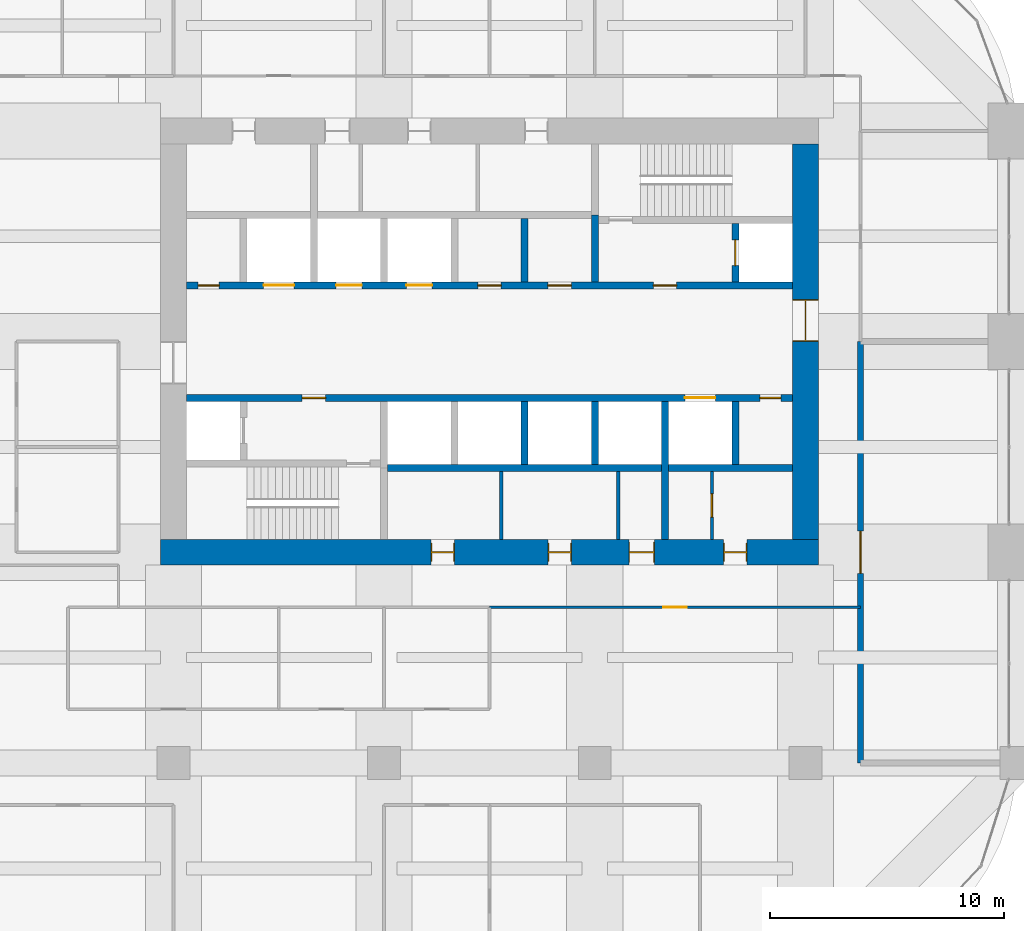
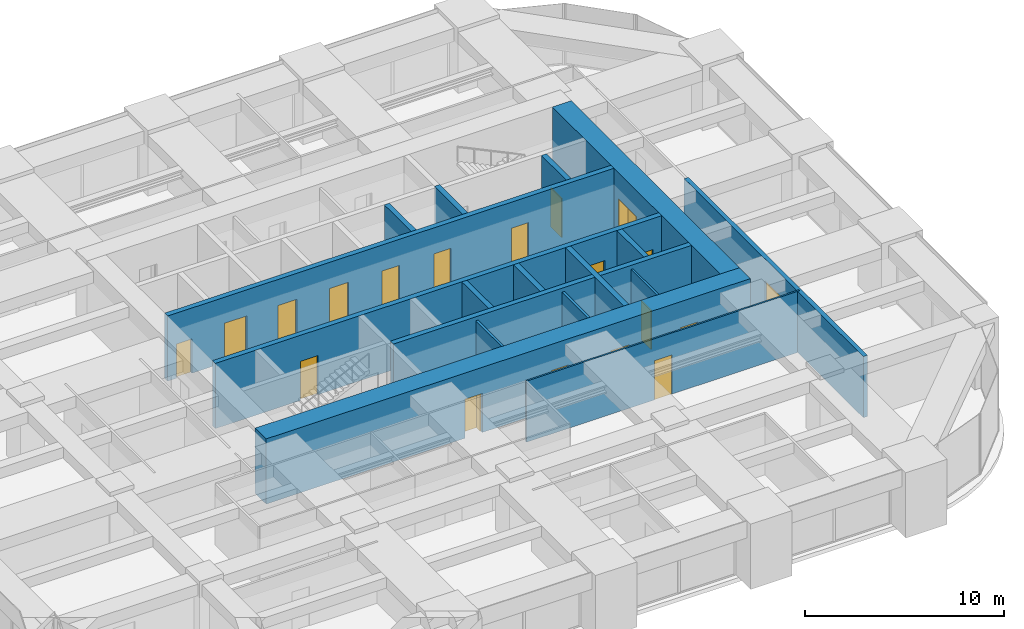
# One storey, part 31 of 34: 19 doors, 17 walls, 19 openings.
"""IFC4 building model written with IfcOpenShell, lengths in metres."""

from ifc_helpers import new_model, si_unit, direction, frame, frame_2d, origin, place, context, subcontext, project, spatial, rectangle, extrude, material, layer, layer_set, type_object, element, fill, save


model = new_model("IFC4")

# Units and contexts
model_context = context("Model", 3, precision=1e-05, world=origin(), true_north=direction((0.0, 1.0)))
body_context = subcontext(model_context, "Body", "Model", "MODEL_VIEW")
ifc_project = project(units=[si_unit("LENGTHUNIT", "METRE"), si_unit("AREAUNIT", "SQUARE_METRE"), si_unit("VOLUMEUNIT", "CUBIC_METRE"), si_unit("PLANEANGLEUNIT", "RADIAN"), si_unit("MASSUNIT", "GRAM", prefix="KILO")], contexts=[model_context])

# Site, building, storey
site_placement = place(None, origin())
site = spatial("IfcSite", under=ifc_project, at=site_placement, CompositionType="ELEMENT")
building_placement = place(site_placement, origin())
building = spatial("IfcBuilding", under=site, at=building_placement, Name="Zorevar Civic Tower", CompositionType="ELEMENT")
storey_placement = place(building_placement, frame((0.0, 0.0, 226.199951171875)))
storey = spatial("IfcBuildingStorey", under=building, at=storey_placement, Name="L55", CompositionType="ELEMENT", Elevation=226.199951171875)

# Wall, opening, door
ifc_material_1 = material(Name="Twin-stud acoustic wall, gypsum board")
ifc_layer_1 = layer(ifc_material_1, 0.25)
ifc_layer_set_1 = layer_set([ifc_layer_1], Name="Acoustic wall 250")
wall_type_1 = type_object("IfcWallType", Name="Acoustic wall 250", PredefinedType="PARTITIONING", material=ifc_layer_set_1)
wall_1_placement = place(storey_placement, frame((47.35009765625, 9.0, 0.0), z_axis=(0.0, 0.0, 1.0), x_axis=(0.0, 1.0, 0.0)))
wall_1 = element("IfcWall", 1, at=wall_1_placement, inside=storey, type_object=wall_type_1, Name="Acoustic wall 250 L55", PredefinedType="PARTITIONING", context=body_context, shape_type="SweptSolid", body=[
    extrude(rectangle(XDim=18.0, YDim=0.25, at=frame_2d((9.0, 0.0))), origin(), (0.0, 0.0, 1.0), 3.75),
])
opening_1_placement = place(wall_1_placement, frame((8.10009765625, 0.0, 0.0)))
opening_1 = element("IfcOpeningElement", 2, at=opening_1_placement, cuts=wall_1, Name="Opening L55.34", PredefinedType="OPENING", context=body_context, shape_type="SweptSolid", body=[
    extrude(rectangle(XDim=1.800048828125, YDim=2.39990234375, at=frame_2d((0.89990234375, 1.199951171875))), frame((0.0, 0.135009765625, 0.0), z_axis=(0.0, -1.0, 0.0), x_axis=(1.0, 0.0, 0.0)), (0.0, 0.0, 1.0), 0.27001953125),
])
ifc_material_2 = material(Name="Steel door set", Category="steel")
door_type_1 = type_object("IfcDoorType", Name="Door D2 1800x2400", OperationType="DOUBLE_DOOR_SINGLE_SWING", PredefinedType="DOOR", material=ifc_material_2)
door_1_placement = place(opening_1_placement, origin())
door_1 = element("IfcDoor", 3, at=door_1_placement, inside=storey, type_object=door_type_1, Name="Door L55 D1", OperationType="DOUBLE_DOOR_SINGLE_SWING", OverallHeight=2.39990234375, OverallWidth=1.800048828125, PredefinedType="DOOR", context=body_context, shape_type="SweptSolid", body=[
    extrude(rectangle(XDim=1.800048828125, YDim=2.39990234375, at=frame_2d((0.89990234375, 1.199951171875))), frame((0.0, 0.02490234375, 0.0), z_axis=(0.0, -1.0, 0.0), x_axis=(1.0, 0.0, 0.0)), (0.0, 0.0, 1.0), 0.050048828125),
])
fill(opening_1, door_1)

# Wall, openings, doors
ifc_material_3 = material(Name="Concrete C50/60", Category="concrete")
ifc_layer_2 = layer(ifc_material_3, 1.10009765625)
ifc_layer_set_2 = layer_set([ifc_layer_2], Name="Core wall 1100")
wall_type_2 = type_object("IfcWallType", Name="Core wall 1100", PredefinedType="SHEAR", material=ifc_layer_set_2)
wall_2_placement = place(storey_placement, frame((17.449951171875, 18.0, 0.0), z_axis=(0.0, 0.0, 1.0), x_axis=(1.0, 0.0, 0.0)))
wall_2 = element("IfcWall", 4, at=wall_2_placement, inside=storey, type_object=wall_type_2, Name="Core wall S L55", PredefinedType="SHEAR", context=body_context, shape_type="SweptSolid", body=[
    extrude(rectangle(XDim=28.10009765625, YDim=1.10009765625, at=frame_2d((14.050048828125, 0.0))), origin(), (0.0, 0.0, 1.0), 4.0),
])
opening_2_placement = place(wall_2_placement, frame((11.550048828125, 0.0, 0.0)))
opening_2 = element("IfcOpeningElement", 5, at=opening_2_placement, cuts=wall_2, Name="Opening L55.03", PredefinedType="OPENING", context=body_context, shape_type="SweptSolid", body=[
    extrude(rectangle(XDim=1.0, YDim=2.39990234375, at=frame_2d((0.5, 1.199951171875))), frame((0.0, 0.56005859375, 0.0), z_axis=(0.0, -1.0, 0.0), x_axis=(1.0, 0.0, 0.0)), (0.0, 0.0, 1.0), 1.1201171875),
])
opening_3_placement = place(wall_2_placement, frame((16.550048828125, 0.0, 0.0)))
opening_3 = element("IfcOpeningElement", 6, at=opening_3_placement, cuts=wall_2, Name="Opening L55.04", PredefinedType="OPENING", context=body_context, shape_type="SweptSolid", body=[
    extrude(rectangle(XDim=1.0, YDim=2.39990234375, at=frame_2d((0.5, 1.199951171875))), frame((0.0, 0.56005859375, 0.0), z_axis=(0.0, -1.0, 0.0), x_axis=(1.0, 0.0, 0.0)), (0.0, 0.0, 1.0), 1.1201171875),
])
opening_4_placement = place(wall_2_placement, frame((20.0, 0.0, 0.0)))
opening_4 = element("IfcOpeningElement", 7, at=opening_4_placement, cuts=wall_2, Name="Opening L55.05", PredefinedType="OPENING", context=body_context, shape_type="SweptSolid", body=[
    extrude(rectangle(XDim=1.10009765625, YDim=2.39990234375, at=frame_2d((0.550048828125, 1.199951171875))), frame((0.0, 0.56005859375, 0.0), z_axis=(0.0, -1.0, 0.0), x_axis=(1.0, 0.0, 0.0)), (0.0, 0.0, 1.0), 1.1201171875),
])
opening_5_placement = place(wall_2_placement, frame((24.050048828125, 0.0, 0.0)))
opening_5 = element("IfcOpeningElement", 8, at=opening_5_placement, cuts=wall_2, Name="Opening L55.06", PredefinedType="OPENING", context=body_context, shape_type="SweptSolid", body=[
    extrude(rectangle(XDim=1.0, YDim=2.39990234375, at=frame_2d((0.5, 1.199951171875))), frame((0.0, 0.56005859375, 0.0), z_axis=(0.0, -1.0, 0.0), x_axis=(1.0, 0.0, 0.0)), (0.0, 0.0, 1.0), 1.1201171875),
])
ifc_material_4 = material(Name="Timber door set", Category="wood")
door_type_2 = type_object("IfcDoorType", Name="Door D1 1000x2400", OperationType="SINGLE_SWING_LEFT", PredefinedType="DOOR", material=ifc_material_4)
door_2_placement = place(opening_2_placement, origin())
door_2 = element("IfcDoor", 9, at=door_2_placement, inside=storey, type_object=door_type_2, Name="Door L55 02", OperationType="SINGLE_SWING_RIGHT", OverallHeight=2.39990234375, OverallWidth=1.0, PredefinedType="DOOR", context=body_context, shape_type="SweptSolid", body=[
    extrude(rectangle(XDim=1.0, YDim=2.39990234375, at=frame_2d((0.5, 1.199951171875))), frame((0.0, 0.02490234375, 0.0), z_axis=(0.0, -1.0, 0.0), x_axis=(1.0, 0.0, 0.0)), (0.0, 0.0, 1.0), 0.050048828125),
    extrude(rectangle(XDim=0.04, YDim=2.39990234375, at=frame_2d((0.02001953125, 1.199951171875))), frame((0.0, 0.39990234375, 0.0), z_axis=(0.0, -1.0, 0.0), x_axis=(1.0, 0.0, 0.0)), (0.0, 0.0, 1.0), 0.800048828125),
    extrude(rectangle(XDim=0.04, YDim=2.39990234375, at=frame_2d((0.97998046875, 1.199951171875))), frame((0.0, 0.39990234375, 0.0), z_axis=(0.0, -1.0, 0.0), x_axis=(1.0, 0.0, 0.0)), (0.0, 0.0, 1.0), 0.800048828125),
    extrude(rectangle(XDim=1.0, YDim=0.04, at=frame_2d((0.5, 2.3798828125))), frame((0.0, 0.39990234375, 0.0), z_axis=(0.0, -1.0, 0.0), x_axis=(1.0, 0.0, 0.0)), (0.0, 0.0, 1.0), 0.800048828125),
])
fill(opening_2, door_2)
door_3_placement = place(opening_3_placement, origin())
door_3 = element("IfcDoor", 10, at=door_3_placement, inside=storey, type_object=door_type_2, Name="Door L55 03", OperationType="SINGLE_SWING_LEFT", OverallHeight=2.39990234375, OverallWidth=1.0, PredefinedType="DOOR", context=body_context, shape_type="SweptSolid", body=[
    extrude(rectangle(XDim=1.0, YDim=2.39990234375, at=frame_2d((0.5, 1.199951171875))), frame((0.0, 0.02490234375, 0.0), z_axis=(0.0, -1.0, 0.0), x_axis=(1.0, 0.0, 0.0)), (0.0, 0.0, 1.0), 0.050048828125),
    extrude(rectangle(XDim=0.04, YDim=2.39990234375, at=frame_2d((0.02001953125, 1.199951171875))), frame((0.0, 0.39990234375, 0.0), z_axis=(0.0, -1.0, 0.0), x_axis=(1.0, 0.0, 0.0)), (0.0, 0.0, 1.0), 0.800048828125),
    extrude(rectangle(XDim=0.04, YDim=2.39990234375, at=frame_2d((0.97998046875, 1.199951171875))), frame((0.0, 0.39990234375, 0.0), z_axis=(0.0, -1.0, 0.0), x_axis=(1.0, 0.0, 0.0)), (0.0, 0.0, 1.0), 0.800048828125),
    extrude(rectangle(XDim=1.0, YDim=0.04, at=frame_2d((0.5, 2.3798828125))), frame((0.0, 0.39990234375, 0.0), z_axis=(0.0, -1.0, 0.0), x_axis=(1.0, 0.0, 0.0)), (0.0, 0.0, 1.0), 0.800048828125),
])
fill(opening_3, door_3)
door_4_placement = place(opening_5_placement, origin())
door_4 = element("IfcDoor", 11, at=door_4_placement, inside=storey, type_object=door_type_2, Name="Door L55 05", OperationType="SINGLE_SWING_LEFT", OverallHeight=2.39990234375, OverallWidth=1.0, PredefinedType="DOOR", context=body_context, shape_type="SweptSolid", body=[
    extrude(rectangle(XDim=1.0, YDim=2.39990234375, at=frame_2d((0.5, 1.199951171875))), frame((0.0, 0.02490234375, 0.0), z_axis=(0.0, -1.0, 0.0), x_axis=(1.0, 0.0, 0.0)), (0.0, 0.0, 1.0), 0.050048828125),
    extrude(rectangle(XDim=0.04, YDim=2.39990234375, at=frame_2d((0.02001953125, 1.199951171875))), frame((0.0, 0.39990234375, 0.0), z_axis=(0.0, -1.0, 0.0), x_axis=(1.0, 0.0, 0.0)), (0.0, 0.0, 1.0), 0.800048828125),
    extrude(rectangle(XDim=0.04, YDim=2.39990234375, at=frame_2d((0.97998046875, 1.199951171875))), frame((0.0, 0.39990234375, 0.0), z_axis=(0.0, -1.0, 0.0), x_axis=(1.0, 0.0, 0.0)), (0.0, 0.0, 1.0), 0.800048828125),
    extrude(rectangle(XDim=1.0, YDim=0.04, at=frame_2d((0.5, 2.3798828125))), frame((0.0, 0.39990234375, 0.0), z_axis=(0.0, -1.0, 0.0), x_axis=(1.0, 0.0, 0.0)), (0.0, 0.0, 1.0), 0.800048828125),
])
fill(opening_5, door_4)
ifc_material_5 = material(Name="Timber door set", Category="wood")
door_type_3 = type_object("IfcDoorType", Name="Door D5 1100x2400", OperationType="SINGLE_SWING_LEFT", PredefinedType="DOOR", material=ifc_material_5)
door_5_placement = place(opening_4_placement, origin())
door_5 = element("IfcDoor", 12, at=door_5_placement, inside=storey, type_object=door_type_3, Name="Door L55 04", OperationType="SINGLE_SWING_LEFT", OverallHeight=2.39990234375, OverallWidth=1.10009765625, PredefinedType="DOOR", context=body_context, shape_type="SweptSolid", body=[
    extrude(rectangle(XDim=1.10009765625, YDim=2.39990234375, at=frame_2d((0.550048828125, 1.199951171875))), frame((0.0, 0.02490234375, 0.0), z_axis=(0.0, -1.0, 0.0), x_axis=(1.0, 0.0, 0.0)), (0.0, 0.0, 1.0), 0.050048828125),
    extrude(rectangle(XDim=0.04, YDim=2.39990234375, at=frame_2d((0.02001953125, 1.199951171875))), frame((0.0, 0.43994140625, 0.0), z_axis=(0.0, -1.0, 0.0), x_axis=(1.0, 0.0, 0.0)), (0.0, 0.0, 1.0), 0.880126953125),
    extrude(rectangle(XDim=0.04, YDim=2.39990234375, at=frame_2d((1.080078125, 1.199951171875))), frame((0.0, 0.43994140625, 0.0), z_axis=(0.0, -1.0, 0.0), x_axis=(1.0, 0.0, 0.0)), (0.0, 0.0, 1.0), 0.880126953125),
    extrude(rectangle(XDim=1.10009765625, YDim=0.04, at=frame_2d((0.550048828125, 2.3798828125))), frame((0.0, 0.43994140625, 0.0), z_axis=(0.0, -1.0, 0.0), x_axis=(1.0, 0.0, 0.0)), (0.0, 0.0, 1.0), 0.880126953125),
])
fill(opening_4, door_5)

# Wall, opening, door
wall_3_placement = place(storey_placement, frame((45.0, 18.550048828125, 0.0), z_axis=(0.0, 0.0, 1.0), x_axis=(0.0, 1.0, 0.0)))
wall_3 = element("IfcWall", 13, at=wall_3_placement, inside=storey, type_object=wall_type_2, Name="Core wall E L55", PredefinedType="SHEAR", context=body_context, shape_type="SweptSolid", body=[
    extrude(rectangle(XDim=16.89990234375, YDim=1.10009765625, at=frame_2d((8.449951171875, 0.0))), origin(), (0.0, 0.0, 1.0), 4.0),
])
opening_6_placement = place(wall_3_placement, frame((8.449951171875, 0.0, 0.0)))
opening_6 = element("IfcOpeningElement", 14, at=opening_6_placement, cuts=wall_3, Name="Opening L55.02", PredefinedType="OPENING", context=body_context, shape_type="SweptSolid", body=[
    extrude(rectangle(XDim=1.800048828125, YDim=2.39990234375, at=frame_2d((0.89990234375, 1.199951171875))), frame((0.0, 0.56005859375, 0.0), z_axis=(0.0, -1.0, 0.0), x_axis=(1.0, 0.0, 0.0)), (0.0, 0.0, 1.0), 1.1201171875),
])
ifc_material_6 = material(Name="Steel door set", Category="steel")
door_type_4 = type_object("IfcDoorType", Name="Fire door FD2 1800x2400", OperationType="DOUBLE_DOOR_DOUBLE_SWING", PredefinedType="DOOR", material=ifc_material_6)
door_6_placement = place(opening_6_placement, origin())
door_6 = element("IfcDoor", 15, at=door_6_placement, inside=storey, type_object=door_type_4, Name="Door L55 01", OperationType="DOUBLE_DOOR_DOUBLE_SWING", OverallHeight=2.39990234375, OverallWidth=1.800048828125, PredefinedType="DOOR", context=body_context, shape_type="SweptSolid", body=[
    extrude(rectangle(XDim=1.800048828125, YDim=2.39990234375, at=frame_2d((0.89990234375, 1.199951171875))), frame((0.0, 0.030029296875, 0.0), z_axis=(0.0, -1.0, 0.0), x_axis=(1.0, 0.0, 0.0)), (0.0, 0.0, 1.0), 0.06005859375),
    extrude(rectangle(XDim=0.04, YDim=2.39990234375, at=frame_2d((0.02001953125, 1.199951171875))), frame((0.0, 0.5498046875, 0.0), z_axis=(0.0, -1.0, 0.0), x_axis=(1.0, 0.0, 0.0)), (0.0, 0.0, 1.0), 1.099609375),
    extrude(rectangle(XDim=0.04, YDim=2.39990234375, at=frame_2d((1.780029296875, 1.199951171875))), frame((0.0, 0.5498046875, 0.0), z_axis=(0.0, -1.0, 0.0), x_axis=(1.0, 0.0, 0.0)), (0.0, 0.0, 1.0), 1.099609375),
    extrude(rectangle(XDim=1.800048828125, YDim=0.04, at=frame_2d((0.89990234375, 2.3798828125))), frame((0.0, 0.5498046875, 0.0), z_axis=(0.0, -1.0, 0.0), x_axis=(1.0, 0.0, 0.0)), (0.0, 0.0, 1.0), 1.099609375),
])
fill(opening_6, door_6)

ifc_material_7 = material(Name="Laminated glass in black aluminium frame", Category="aluminium")
ifc_layer_3 = layer(ifc_material_7, 0.10009765625)
ifc_layer_set_3 = layer_set([ifc_layer_3], Name="Glazed partition 100")
wall_type_3 = type_object("IfcWallType", Name="Glazed partition 100", PredefinedType="PARTITIONING", material=ifc_layer_set_3)
wall_4_placement = place(storey_placement, frame((31.5, 15.64990234375, 0.0), z_axis=(0.0, 0.0, 1.0), x_axis=(1.0, 0.0, 0.0)))
wall_4 = element("IfcWall", 16, at=wall_4_placement, inside=storey, type_object=wall_type_3, Name="Glazed partition 100 L55", PredefinedType="PARTITIONING", context=body_context, shape_type="SweptSolid", body=[
    extrude(rectangle(XDim=15.85009765625, YDim=0.10009765625, at=frame_2d((7.925048828125, 0.0))), origin(), (0.0, 0.0, 1.0), 3.75),
])
opening_7_placement = place(wall_4_placement, frame((7.425048828125, 0.0, 0.0)))
opening_7 = element("IfcOpeningElement", 17, at=opening_7_placement, cuts=wall_4, Name="Opening L55.23", PredefinedType="OPENING", context=body_context, shape_type="SweptSolid", body=[
    extrude(rectangle(XDim=1.0, YDim=2.39990234375, at=frame_2d((0.5, 1.199951171875))), frame((0.0, 0.06005859375, 0.0), z_axis=(0.0, -1.0, 0.0), x_axis=(1.0, 0.0, 0.0)), (0.0, 0.0, 1.0), 0.1201171875),
])
ifc_material_8 = material(Name="Timber door set", Category="wood")
door_type_5 = type_object("IfcDoorType", Name="Glazed door GD1 1000x2400", OperationType="SINGLE_SWING_LEFT", PredefinedType="DOOR", material=ifc_material_8)
door_7_placement = place(opening_7_placement, origin())
door_7 = element("IfcDoor", 18, at=door_7_placement, inside=storey, type_object=door_type_5, Name="Door L55 D1", OperationType="SINGLE_SWING_RIGHT", OverallHeight=2.39990234375, OverallWidth=1.0, PredefinedType="DOOR", context=body_context, shape_type="SweptSolid", body=[
    extrude(rectangle(XDim=1.0, YDim=2.39990234375, at=frame_2d((0.5, 1.199951171875))), frame((0.0, 0.02001953125, 0.0), z_axis=(0.0, -1.0, 0.0), x_axis=(1.0, 0.0, 0.0)), (0.0, 0.0, 1.0), 0.0400390625),
])
fill(opening_7, door_7)

ifc_material_9 = material(Name="Concrete C40/50", Category="concrete")
ifc_layer_4 = layer(ifc_material_9, 0.300048828125)
ifc_layer_set_4 = layer_set([ifc_layer_4], Name="Inner core wall 300")
wall_type_4 = type_object("IfcWallType", Name="Inner core wall 300", PredefinedType="SHEAR", material=ifc_layer_set_4)
wall_5_placement = place(storey_placement, frame((42.0, 29.550048828125, 0.0), z_axis=(0.0, 0.0, 1.0), x_axis=(0.0, 1.0, 0.0)))
wall_5 = element("IfcWall", 19, at=wall_5_placement, inside=storey, type_object=wall_type_4, Name="Inner core wall N02 L55", PredefinedType="SHEAR", context=body_context, shape_type="SweptSolid", body=[
    extrude(rectangle(XDim=2.5, YDim=0.300048828125, at=frame_2d((1.25, 0.0))), origin(), (0.0, 0.0, 1.0), 4.0),
])
opening_8_placement = place(wall_5_placement, frame((0.699951171875, 0.0, 0.0)))
opening_8 = element("IfcOpeningElement", 20, at=opening_8_placement, cuts=wall_5, Name="Opening L55.FL2", PredefinedType="OPENING", context=body_context, shape_type="SweptSolid", body=[
    extrude(rectangle(XDim=1.10009765625, YDim=2.39990234375, at=frame_2d((0.550048828125, 1.199951171875))), frame((0.0, 0.159912109375, 0.0), z_axis=(0.0, -1.0, 0.0), x_axis=(1.0, 0.0, 0.0)), (0.0, 0.0, 1.0), 0.320068359375),
])
ifc_material_10 = material(Name="Steel door set", Category="steel")
door_type_6 = type_object("IfcDoorType", Name="Firefighting lift landing door LD3 1100x2400", OperationType="DOUBLE_DOOR_SLIDING", PredefinedType="DOOR", material=ifc_material_10)
door_8_placement = place(opening_8_placement, origin())
door_8 = element("IfcDoor", 21, at=door_8_placement, inside=storey, type_object=door_type_6, Name="Landing door FL2 L55", OperationType="DOUBLE_DOOR_SLIDING", OverallHeight=2.39990234375, OverallWidth=1.10009765625, PredefinedType="DOOR", context=body_context, shape_type="SweptSolid", body=[
    extrude(rectangle(XDim=1.10009765625, YDim=2.39990234375, at=frame_2d((0.550048828125, 1.199951171875))), frame((0.0, 0.030029296875, 0.0), z_axis=(0.0, -1.0, 0.0), x_axis=(1.0, 0.0, 0.0)), (0.0, 0.0, 1.0), 0.06005859375),
])
fill(opening_8, door_8)

# Wall, openings, doors
wall_6_placement = place(storey_placement, frame((18.550048828125, 24.60009765625, 0.0), z_axis=(0.0, 0.0, 1.0), x_axis=(1.0, 0.0, 0.0)))
wall_6 = element("IfcWall", 22, at=wall_6_placement, inside=storey, type_object=wall_type_4, Name="Inner core wall S03 L55", PredefinedType="SHEAR", context=body_context, shape_type="SweptSolid", body=[
    extrude(rectangle(XDim=25.89990234375, YDim=0.300048828125, at=frame_2d((12.949951171875, 0.0))), origin(), (0.0, 0.0, 1.0), 4.0),
])
opening_9_placement = place(wall_6_placement, frame((4.949951171875, 0.0, 0.0)))
opening_9 = element("IfcOpeningElement", 23, at=opening_9_placement, cuts=wall_6, Name="Opening L55.13", PredefinedType="OPENING", context=body_context, shape_type="SweptSolid", body=[
    extrude(rectangle(XDim=1.0, YDim=2.39990234375, at=frame_2d((0.5, 1.199951171875))), frame((0.0, 0.159912109375, 0.0), z_axis=(0.0, -1.0, 0.0), x_axis=(1.0, 0.0, 0.0)), (0.0, 0.0, 1.0), 0.320068359375),
])
opening_10_placement = place(wall_6_placement, frame((24.5, 0.0, 0.0)))
opening_10 = element("IfcOpeningElement", 24, at=opening_10_placement, cuts=wall_6, Name="Opening L55.15", PredefinedType="OPENING", context=body_context, shape_type="SweptSolid", body=[
    extrude(rectangle(XDim=0.89990234375, YDim=2.10009765625, at=frame_2d((0.449951171875, 1.050048828125))), frame((0.0, 0.159912109375, 0.0), z_axis=(0.0, -1.0, 0.0), x_axis=(1.0, 0.0, 0.0)), (0.0, 0.0, 1.0), 0.320068359375),
])
opening_11_placement = place(wall_6_placement, frame((21.300048828125, 0.0, 0.0)))
opening_11 = element("IfcOpeningElement", 25, at=opening_11_placement, cuts=wall_6, Name="Opening L55.SL1", PredefinedType="OPENING", context=body_context, shape_type="SweptSolid", body=[
    extrude(rectangle(XDim=1.300048828125, YDim=2.39990234375, at=frame_2d((0.64990234375, 1.199951171875))), frame((0.0, 0.159912109375, 0.0), z_axis=(0.0, -1.0, 0.0), x_axis=(1.0, 0.0, 0.0)), (0.0, 0.0, 1.0), 0.320068359375),
])
ifc_material_11 = material(Name="Steel door set", Category="steel")
door_type_7 = type_object("IfcDoorType", Name="Fire door FD1 1000x2400", OperationType="SINGLE_SWING_LEFT", PredefinedType="DOOR", material=ifc_material_11)
door_9_placement = place(opening_9_placement, origin())
door_9 = element("IfcDoor", 26, at=door_9_placement, inside=storey, type_object=door_type_7, Name="Door L55 12", OperationType="SINGLE_SWING_RIGHT", OverallHeight=2.39990234375, OverallWidth=1.0, PredefinedType="DOOR", context=body_context, shape_type="SweptSolid", body=[
    extrude(rectangle(XDim=1.0, YDim=2.39990234375, at=frame_2d((0.5, 1.199951171875))), frame((0.0, 0.030029296875, 0.0), z_axis=(0.0, -1.0, 0.0), x_axis=(1.0, 0.0, 0.0)), (0.0, 0.0, 1.0), 0.06005859375),
])
fill(opening_9, door_9)
ifc_material_12 = material(Name="Steel door set", Category="steel")
door_type_8 = type_object("IfcDoorType", Name="Landing door LD2 1300x2400", OperationType="DOUBLE_DOOR_SLIDING", PredefinedType="DOOR", material=ifc_material_12)
door_10_placement = place(opening_11_placement, origin())
door_10 = element("IfcDoor", 27, at=door_10_placement, inside=storey, type_object=door_type_8, Name="Landing door SL1 L55", OperationType="DOUBLE_DOOR_SLIDING", OverallHeight=2.39990234375, OverallWidth=1.300048828125, PredefinedType="DOOR", context=body_context, shape_type="SweptSolid", body=[
    extrude(rectangle(XDim=1.300048828125, YDim=2.39990234375, at=frame_2d((0.64990234375, 1.199951171875))), frame((0.0, 0.02001953125, 0.0), z_axis=(0.0, -1.0, 0.0), x_axis=(1.0, 0.0, 0.0)), (0.0, 0.0, 1.0), 0.0400390625),
])
fill(opening_11, door_10)
ifc_material_13 = material(Name="Steel door set", Category="steel")
door_type_9 = type_object("IfcDoorType", Name="Riser door RD1 900x2100", OperationType="SINGLE_SWING_LEFT", PredefinedType="DOOR", material=ifc_material_13)
door_11_placement = place(opening_10_placement, origin())
door_11 = element("IfcDoor", 28, at=door_11_placement, inside=storey, type_object=door_type_9, Name="Door L55 14", OperationType="SINGLE_SWING_RIGHT", OverallHeight=2.10009765625, OverallWidth=0.89990234375, PredefinedType="DOOR", context=body_context, shape_type="SweptSolid", body=[
    extrude(rectangle(XDim=0.89990234375, YDim=2.10009765625, at=frame_2d((0.449951171875, 1.050048828125))), frame((0.0, 0.030029296875, 0.0), z_axis=(0.0, -1.0, 0.0), x_axis=(1.0, 0.0, 0.0)), (0.0, 0.0, 1.0), 0.06005859375),
])
fill(opening_10, door_11)

wall_7_placement = place(storey_placement, frame((18.550048828125, 29.39990234375, 0.0), z_axis=(0.0, 0.0, 1.0), x_axis=(1.0, 0.0, 0.0)))
wall_7 = element("IfcWall", 29, at=wall_7_placement, inside=storey, type_object=wall_type_4, Name="Inner core wall N03 L55", PredefinedType="SHEAR", context=body_context, shape_type="SweptSolid", body=[
    extrude(rectangle(XDim=25.89990234375, YDim=0.300048828125, at=frame_2d((12.949951171875, 0.0))), origin(), (0.0, 0.0, 1.0), 4.0),
])
opening_12_placement = place(wall_7_placement, frame((19.949951171875, 0.0, 0.0)))
opening_12 = element("IfcOpeningElement", 30, at=opening_12_placement, cuts=wall_7, Name="Opening L55.14", PredefinedType="OPENING", context=body_context, shape_type="SweptSolid", body=[
    extrude(rectangle(XDim=1.0, YDim=2.39990234375, at=frame_2d((0.5, 1.199951171875))), frame((0.0, 0.159912109375, 0.0), z_axis=(0.0, -1.0, 0.0), x_axis=(1.0, 0.0, 0.0)), (0.0, 0.0, 1.0), 0.320068359375),
])
opening_13_placement = place(wall_7_placement, frame((0.5, 0.0, 0.0)))
opening_13 = element("IfcOpeningElement", 31, at=opening_13_placement, cuts=wall_7, Name="Opening L55.16", PredefinedType="OPENING", context=body_context, shape_type="SweptSolid", body=[
    extrude(rectangle(XDim=0.89990234375, YDim=2.10009765625, at=frame_2d((0.449951171875, 1.050048828125))), frame((0.0, 0.159912109375, 0.0), z_axis=(0.0, -1.0, 0.0), x_axis=(1.0, 0.0, 0.0)), (0.0, 0.0, 1.0), 0.320068359375),
])
opening_14_placement = place(wall_7_placement, frame((15.449951171875, 0.0, 0.0)))
opening_14 = element("IfcOpeningElement", 32, at=opening_14_placement, cuts=wall_7, Name="Opening L55.37", PredefinedType="OPENING", context=body_context, shape_type="SweptSolid", body=[
    extrude(rectangle(XDim=1.0, YDim=2.39990234375, at=frame_2d((0.5, 1.199951171875))), frame((0.0, 0.159912109375, 0.0), z_axis=(0.0, -1.0, 0.0), x_axis=(1.0, 0.0, 0.0)), (0.0, 0.0, 1.0), 0.320068359375),
])
opening_15_placement = place(wall_7_placement, frame((12.449951171875, 0.0, 0.0)))
opening_15 = element("IfcOpeningElement", 33, at=opening_15_placement, cuts=wall_7, Name="Opening L55.38", PredefinedType="OPENING", context=body_context, shape_type="SweptSolid", body=[
    extrude(rectangle(XDim=1.0, YDim=2.39990234375, at=frame_2d((0.5, 1.199951171875))), frame((0.0, 0.159912109375, 0.0), z_axis=(0.0, -1.0, 0.0), x_axis=(1.0, 0.0, 0.0)), (0.0, 0.0, 1.0), 0.320068359375),
])
opening_16_placement = place(wall_7_placement, frame((9.39990234375, 0.0, 0.0)))
opening_16 = element("IfcOpeningElement", 34, at=opening_16_placement, cuts=wall_7, Name="Opening L55.LH1", PredefinedType="OPENING", context=body_context, shape_type="SweptSolid", body=[
    extrude(rectangle(XDim=1.10009765625, YDim=2.39990234375, at=frame_2d((0.550048828125, 1.199951171875))), frame((0.0, 0.159912109375, 0.0), z_axis=(0.0, -1.0, 0.0), x_axis=(1.0, 0.0, 0.0)), (0.0, 0.0, 1.0), 0.320068359375),
])
opening_17_placement = place(wall_7_placement, frame((6.39990234375, 0.0, 0.0)))
opening_17 = element("IfcOpeningElement", 35, at=opening_17_placement, cuts=wall_7, Name="Opening L55.LH2", PredefinedType="OPENING", context=body_context, shape_type="SweptSolid", body=[
    extrude(rectangle(XDim=1.10009765625, YDim=2.39990234375, at=frame_2d((0.550048828125, 1.199951171875))), frame((0.0, 0.159912109375, 0.0), z_axis=(0.0, -1.0, 0.0), x_axis=(1.0, 0.0, 0.0)), (0.0, 0.0, 1.0), 0.320068359375),
])
opening_18_placement = place(wall_7_placement, frame((3.300048828125, 0.0, 0.0)))
opening_18 = element("IfcOpeningElement", 36, at=opening_18_placement, cuts=wall_7, Name="Opening L55.SL2", PredefinedType="OPENING", context=body_context, shape_type="SweptSolid", body=[
    extrude(rectangle(XDim=1.300048828125, YDim=2.39990234375, at=frame_2d((0.64990234375, 1.199951171875))), frame((0.0, 0.159912109375, 0.0), z_axis=(0.0, -1.0, 0.0), x_axis=(1.0, 0.0, 0.0)), (0.0, 0.0, 1.0), 0.320068359375),
])
door_12_placement = place(opening_12_placement, origin())
door_12 = element("IfcDoor", 37, at=door_12_placement, inside=storey, type_object=door_type_7, Name="Door L55 13", OperationType="SINGLE_SWING_RIGHT", OverallHeight=2.39990234375, OverallWidth=1.0, PredefinedType="DOOR", context=body_context, shape_type="SweptSolid", body=[
    extrude(rectangle(XDim=1.0, YDim=2.39990234375, at=frame_2d((0.5, 1.199951171875))), frame((0.0, 0.030029296875, 0.0), z_axis=(0.0, -1.0, 0.0), x_axis=(1.0, 0.0, 0.0)), (0.0, 0.0, 1.0), 0.06005859375),
])
fill(opening_12, door_12)
door_13_placement = place(opening_14_placement, origin())
door_13 = element("IfcDoor", 38, at=door_13_placement, inside=storey, type_object=door_type_7, Name="Door L55 LM1 shaft room", OperationType="SINGLE_SWING_LEFT", OverallHeight=2.39990234375, OverallWidth=1.0, PredefinedType="DOOR", context=body_context, shape_type="SweptSolid", body=[
    extrude(rectangle(XDim=1.0, YDim=2.39990234375, at=frame_2d((0.5, 1.199951171875))), frame((0.0, 0.030029296875, 0.0), z_axis=(0.0, -1.0, 0.0), x_axis=(1.0, 0.0, 0.0)), (0.0, 0.0, 1.0), 0.06005859375),
])
fill(opening_14, door_13)
door_14_placement = place(opening_15_placement, origin())
door_14 = element("IfcDoor", 39, at=door_14_placement, inside=storey, type_object=door_type_7, Name="Door L55 LM2 shaft room", OperationType="SINGLE_SWING_RIGHT", OverallHeight=2.39990234375, OverallWidth=1.0, PredefinedType="DOOR", context=body_context, shape_type="SweptSolid", body=[
    extrude(rectangle(XDim=1.0, YDim=2.39990234375, at=frame_2d((0.5, 1.199951171875))), frame((0.0, 0.030029296875, 0.0), z_axis=(0.0, -1.0, 0.0), x_axis=(1.0, 0.0, 0.0)), (0.0, 0.0, 1.0), 0.06005859375),
])
fill(opening_15, door_14)
ifc_material_14 = material(Name="Steel door set", Category="steel")
door_type_10 = type_object("IfcDoorType", Name="Landing door LD1 1100x2400", OperationType="DOUBLE_DOOR_SLIDING", PredefinedType="DOOR", material=ifc_material_14)
door_15_placement = place(opening_16_placement, origin())
door_15 = element("IfcDoor", 40, at=door_15_placement, inside=storey, type_object=door_type_10, Name="Landing door LH1 L55", OperationType="DOUBLE_DOOR_SLIDING", OverallHeight=2.39990234375, OverallWidth=1.10009765625, PredefinedType="DOOR", context=body_context, shape_type="SweptSolid", body=[
    extrude(rectangle(XDim=1.10009765625, YDim=2.39990234375, at=frame_2d((0.550048828125, 1.199951171875))), frame((0.0, 0.02001953125, 0.0), z_axis=(0.0, -1.0, 0.0), x_axis=(1.0, 0.0, 0.0)), (0.0, 0.0, 1.0), 0.0400390625),
])
fill(opening_16, door_15)
door_16_placement = place(opening_17_placement, origin())
door_16 = element("IfcDoor", 41, at=door_16_placement, inside=storey, type_object=door_type_10, Name="Landing door LH2 L55", OperationType="DOUBLE_DOOR_SLIDING", OverallHeight=2.39990234375, OverallWidth=1.10009765625, PredefinedType="DOOR", context=body_context, shape_type="SweptSolid", body=[
    extrude(rectangle(XDim=1.10009765625, YDim=2.39990234375, at=frame_2d((0.550048828125, 1.199951171875))), frame((0.0, 0.02001953125, 0.0), z_axis=(0.0, -1.0, 0.0), x_axis=(1.0, 0.0, 0.0)), (0.0, 0.0, 1.0), 0.0400390625),
])
fill(opening_17, door_16)
door_17_placement = place(opening_18_placement, origin())
door_17 = element("IfcDoor", 42, at=door_17_placement, inside=storey, type_object=door_type_8, Name="Landing door SL2 L55", OperationType="DOUBLE_DOOR_SLIDING", OverallHeight=2.39990234375, OverallWidth=1.300048828125, PredefinedType="DOOR", context=body_context, shape_type="SweptSolid", body=[
    extrude(rectangle(XDim=1.300048828125, YDim=2.39990234375, at=frame_2d((0.64990234375, 1.199951171875))), frame((0.0, 0.02001953125, 0.0), z_axis=(0.0, -1.0, 0.0), x_axis=(1.0, 0.0, 0.0)), (0.0, 0.0, 1.0), 0.0400390625),
])
fill(opening_18, door_17)
door_18_placement = place(opening_13_placement, origin())
door_18 = element("IfcDoor", 43, at=door_18_placement, inside=storey, type_object=door_type_9, Name="Door L55 15", OperationType="SINGLE_SWING_RIGHT", OverallHeight=2.10009765625, OverallWidth=0.89990234375, PredefinedType="DOOR", context=body_context, shape_type="SweptSolid", body=[
    extrude(rectangle(XDim=0.89990234375, YDim=2.10009765625, at=frame_2d((0.449951171875, 1.050048828125))), frame((0.0, 0.030029296875, 0.0), z_axis=(0.0, -1.0, 0.0), x_axis=(1.0, 0.0, 0.0)), (0.0, 0.0, 1.0), 0.06005859375),
])
fill(opening_13, door_18)

# Walls
wall_8_placement = place(storey_placement, frame((27.14990234375, 21.60009765625, 0.0), z_axis=(0.0, 0.0, 1.0), x_axis=(1.0, 0.0, 0.0)))
element("IfcWall", 44, at=wall_8_placement, inside=storey, type_object=wall_type_4, Name="Inner core wall S04 L55", PredefinedType="SHEAR", context=body_context, shape_type="SweptSolid", body=[
    extrude(rectangle(XDim=17.300048828125, YDim=0.300048828125, at=frame_2d((8.64990234375, 0.0))), origin(), (0.0, 0.0, 1.0), 4.0),
])
for number, where, z_axis, x_axis, name in (
    (45, (33.0, 29.550048828125, 0.0), (0.0, 0.0, 1.0), (0.0, 1.0, 0.0), "Inner core wall N05 L55"),
    (46, (33.0, 21.75, 0.0), (0.0, 0.0, 1.0), (0.0, 1.0, 0.0), "Inner core wall S06 L55"),
    (47, (36.0, 21.75, 0.0), (0.0, 0.0, 1.0), (0.0, 1.0, 0.0), "Inner core wall S07 L55"),
):
    element("IfcWall", number, at=place(storey_placement, frame(where, z_axis=z_axis, x_axis=x_axis)), inside=storey, type_object=wall_type_4, Name=name, PredefinedType="SHEAR", context=body_context, shape_type="SweptSolid", body=[
        extrude(rectangle(XDim=2.699951171875, YDim=0.300048828125, at=frame_2d((1.35009765625, 0.0))), origin(), (0.0, 0.0, 1.0), 4.0),
    ])
wall_9_placement = place(storey_placement, frame((39.0, 18.550048828125, 0.0), z_axis=(0.0, 0.0, 1.0), x_axis=(0.0, 1.0, 0.0)))
element("IfcWall", 48, at=wall_9_placement, inside=storey, type_object=wall_type_4, Name="Inner core wall S08 L55", PredefinedType="SHEAR", context=body_context, shape_type="SweptSolid", body=[
    extrude(rectangle(XDim=5.89990234375, YDim=0.300048828125, at=frame_2d((2.949951171875, 0.0))), origin(), (0.0, 0.0, 1.0), 4.0),
])
wall_10_placement = place(storey_placement, frame((42.0, 21.75, 0.0), z_axis=(0.0, 0.0, 1.0), x_axis=(0.0, 1.0, 0.0)))
element("IfcWall", 49, at=wall_10_placement, inside=storey, type_object=wall_type_4, Name="Inner core wall S09 L55", PredefinedType="SHEAR", context=body_context, shape_type="SweptSolid", body=[
    extrude(rectangle(XDim=2.699951171875, YDim=0.300048828125, at=frame_2d((1.35009765625, 0.0))), origin(), (0.0, 0.0, 1.0), 4.0),
])
wall_11_placement = place(storey_placement, frame((36.0, 29.550048828125, 0.0), z_axis=(0.0, 0.0, 1.0), x_axis=(0.0, 1.0, 0.0)))
element("IfcWall", 50, at=wall_11_placement, inside=storey, type_object=wall_type_4, Name="Inner core wall N10 L55", PredefinedType="SHEAR", context=body_context, shape_type="SweptSolid", body=[
    extrude(rectangle(XDim=2.849853515625, YDim=0.300048828125, at=frame_2d((1.4248046875, 0.0))), origin(), (0.0, 0.0, 1.0), 4.0),
])

# Wall, opening, door
ifc_material_15 = material(Name="Gypsum board on steel studs", Category="steel")
ifc_layer_5 = layer(ifc_material_15, 0.1201171875)
ifc_layer_set_5 = layer_set([ifc_layer_5], Name="Partition 120")
wall_type_5 = type_object("IfcWallType", Name="Partition 120", PredefinedType="PARTITIONING", material=ifc_layer_set_5)
wall_12_placement = place(storey_placement, frame((41.0, 18.550048828125, 0.0), z_axis=(0.0, 0.0, 1.0), x_axis=(0.0, 1.0, 0.0)))
wall_12 = element("IfcWall", 51, at=wall_12_placement, inside=storey, type_object=wall_type_5, Name="Partition L55", PredefinedType="PARTITIONING", context=body_context, shape_type="SweptSolid", body=[
    extrude(rectangle(XDim=2.89990234375, YDim=0.1201171875, at=frame_2d((1.449951171875, 0.0))), origin(), (0.0, 0.0, 1.0), 3.75),
])
opening_19_placement = place(wall_12_placement, frame((0.949951171875, 0.0, 0.0)))
opening_19 = element("IfcOpeningElement", 52, at=opening_19_placement, cuts=wall_12, Name="Opening L55.36", PredefinedType="OPENING", context=body_context, shape_type="SweptSolid", body=[
    extrude(rectangle(XDim=1.0, YDim=2.39990234375, at=frame_2d((0.5, 1.199951171875))), frame((0.0, 0.070068359375, 0.0), z_axis=(0.0, -1.0, 0.0), x_axis=(1.0, 0.0, 0.0)), (0.0, 0.0, 1.0), 0.14013671875),
])
door_19_placement = place(opening_19_placement, origin())
door_19 = element("IfcDoor", 53, at=door_19_placement, inside=storey, type_object=door_type_7, Name="Door L55 ES", OperationType="SINGLE_SWING_LEFT", OverallHeight=2.39990234375, OverallWidth=1.0, PredefinedType="DOOR", context=body_context, shape_type="SweptSolid", body=[
    extrude(rectangle(XDim=1.0, YDim=2.39990234375, at=frame_2d((0.5, 1.199951171875))), frame((0.0, 0.030029296875, 0.0), z_axis=(0.0, -1.0, 0.0), x_axis=(1.0, 0.0, 0.0)), (0.0, 0.0, 1.0), 0.06005859375),
])
fill(opening_19, door_19)

# Walls
ifc_material_16 = material(Name="Gypsum board on steel studs, moisture resistant", Category="steel")
ifc_layer_6 = layer(ifc_material_16, 0.14990234375)
ifc_layer_set_6 = layer_set([ifc_layer_6], Name="WC partition 150")
wall_type_6 = type_object("IfcWallType", Name="WC partition 150", PredefinedType="PARTITIONING", material=ifc_layer_set_6)
for number, where, z_axis, x_axis, name in (
    (54, (32.0, 18.550048828125, 0.0), (0.0, 0.0, 1.0), (0.0, 1.0, 0.0), "WC partition L55"),
    (55, (37.0, 18.550048828125, 0.0), (0.0, 0.0, 1.0), (0.0, 1.0, 0.0), "WC partition L55"),
):
    element("IfcWall", number, at=place(storey_placement, frame(where, z_axis=z_axis, x_axis=x_axis)), inside=storey, type_object=wall_type_6, Name=name, PredefinedType="PARTITIONING", context=body_context, shape_type="SweptSolid", body=[
        extrude(rectangle(XDim=2.89990234375, YDim=0.14990234375, at=frame_2d((1.449951171875, 0.0))), origin(), (0.0, 0.0, 1.0), 3.75),
    ])

save(model, "model.ifc")
